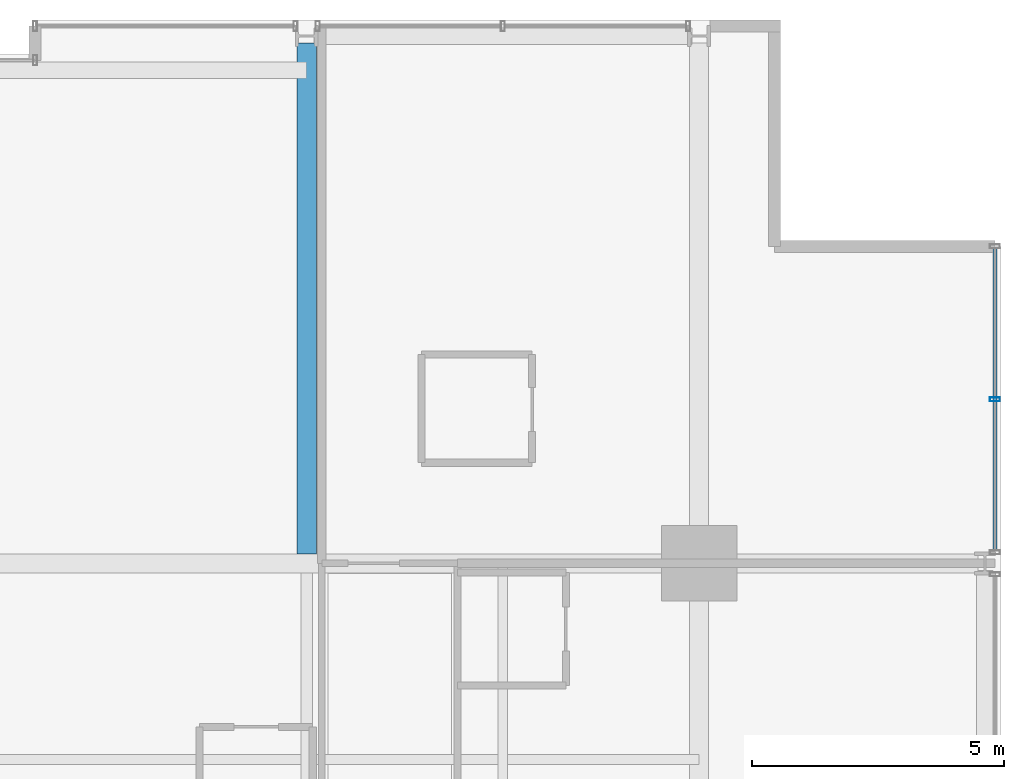
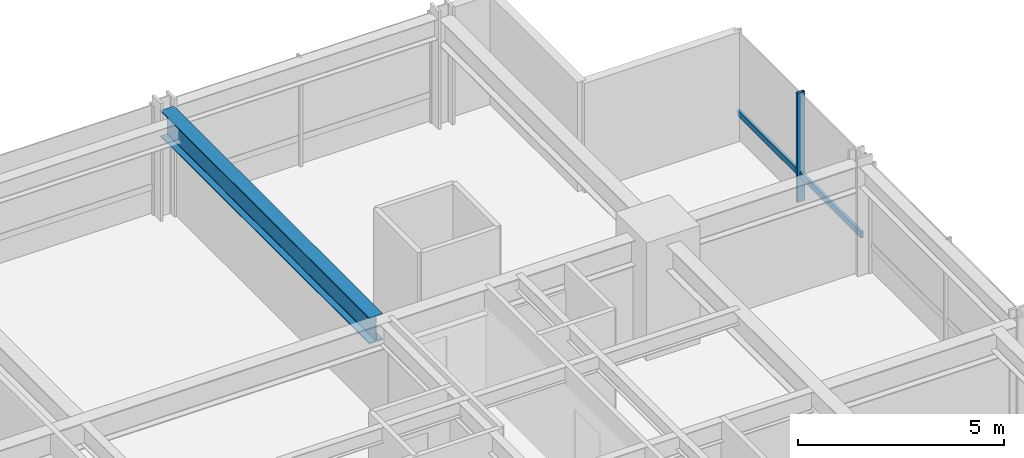
# One storey, part 24 of 33: 2 members, 1 beam, 1 element without a shape of its own.
"""IFC4 building model written with IfcOpenShell, lengths in metres."""

from ifc_helpers import new_model, si_unit, direction, frame, origin, origin_2d, place, context, subcontext, project, spatial, hollow_rectangle, i_section, extrude, material, layer, layer_set, material_profile, profile_set, type_object, element, aggregate, save


model = new_model("IFC4")

# Units and contexts
model_context = context("Model", 3, precision=1e-05, world=origin(), true_north=direction((0.0, 1.0)))
body_context = subcontext(model_context, "Body", "Model", "MODEL_VIEW")
ifc_project = project(units=[si_unit("LENGTHUNIT", "METRE"), si_unit("AREAUNIT", "SQUARE_METRE"), si_unit("VOLUMEUNIT", "CUBIC_METRE"), si_unit("PLANEANGLEUNIT", "RADIAN"), si_unit("MASSUNIT", "GRAM", prefix="KILO")], contexts=[model_context])

# Site, building, storey
site_placement = place(None, origin())
site = spatial("IfcSite", under=ifc_project, at=site_placement, CompositionType="ELEMENT")
building_placement = place(site_placement, origin())
building = spatial("IfcBuilding", under=site, at=building_placement, Name="Drelvath Grand Hotel", CompositionType="ELEMENT")
storey_placement = place(building_placement, frame((0.0, 0.0, 105.800048828125)))
storey = spatial("IfcBuildingStorey", under=building, at=storey_placement, Name="L26", CompositionType="ELEMENT", Elevation=105.800048828125)

# Curtain wall, members
ifc_material_1 = material(Name="Champagne Bronze Anodised Aluminium Frame", Category="aluminium")
ifc_layer = layer(ifc_material_1, 0.199951171875)
ifc_layer_set = layer_set([ifc_layer], Name="Champagne Bronze Anodised Aluminium Frame")
curtain_wall_type = type_object("IfcCurtainWallType", Name="Stick Curtain Wall CW-03 Champagne Bronze Mid-Rise", PredefinedType="NOTDEFINED", material=ifc_layer_set)
curtain_wall_placement = place(storey_placement, origin())
curtain_wall = element("IfcCurtainWall", 1, at=curtain_wall_placement, inside=storey, type_object=curtain_wall_type, Name="L26 CW-03 Curtain Wall CW03-L26-EN3", PredefinedType="NOTDEFINED")
ifc_material_profile_1 = material_profile(ifc_material_1, hollow_rectangle(XDim=0.074951171875, YDim=0.179931640625, WallThickness=0.0048828125, at=origin_2d()), Name="HSS180X75X5")
ifc_profile_set_1 = profile_set([ifc_material_profile_1], Name="Champagne Bronze Anodised Aluminium Frame")
member_type_1 = type_object("IfcMemberType", Name="Curtain Wall Horizontal Transom CW-03 HSS180X75X5", PredefinedType="USERDEFINED", material=ifc_profile_set_1)
member_1_placement = place(storey_placement, frame((22.080078125, 49.4599609375, 0.81005859375), z_axis=(0.0, -1.0, 0.0), x_axis=(1.0, 0.0, 0.0)))
member_1 = element("IfcMember", 2, at=member_1_placement, type_object=member_type_1, Name="CW03-L26-EN3 Sill Transom", ObjectType="TRANSOM", PredefinedType="USERDEFINED", context=body_context, shape_type="SweptSolid", body=[
    extrude(hollow_rectangle(XDim=0.074951171875, YDim=0.179931640625, WallThickness=0.0048828125, at=origin_2d()), origin(), (0.0, 0.0, 1.0), 6.000244140625),
])
ifc_material_profile_2 = material_profile(ifc_material_1, hollow_rectangle(XDim=0.080078125, YDim=0.199951171875, WallThickness=0.0048828125, at=origin_2d()), Name="HSS200X80X5")
ifc_profile_set_2 = profile_set([ifc_material_profile_2], Name="Champagne Bronze Anodised Aluminium Frame")
member_type_2 = type_object("IfcMemberType", Name="Curtain Wall Vertical Mullion CW-03 HSS200X80X5", PredefinedType="MULLION", material=ifc_profile_set_2)
member_2_placement = place(storey_placement, frame((22.080078125, 46.459716796875, 0.0), z_axis=(0.0, 0.0, 1.0), x_axis=(0.0, 1.0, 0.0)))
member_2 = element("IfcMember", 3, at=member_2_placement, type_object=member_type_2, Name="CW03-L26-EN3 Mullion 2", PredefinedType="MULLION", context=body_context, shape_type="SweptSolid", body=[
    extrude(hollow_rectangle(XDim=0.080078125, YDim=0.199951171875, WallThickness=0.0048828125, at=origin_2d()), origin(), (0.0, 0.0, 1.0), 3.239990234375),
])
aggregate(curtain_wall, [member_2, member_1])

# Beam
ifc_material_2 = material(Name="Steel ASTM A992 Gr 50", Category="steel")
ifc_material_profile_3 = material_profile(ifc_material_2, i_section(OverallWidth=0.380615234375, OverallDepth=0.773193359375, WebThickness=0.0166015625, FlangeThickness=0.027099609375, FilletRadius=0.02490234375, at=origin_2d()), Name="W30X173")
ifc_profile_set_3 = profile_set([ifc_material_profile_3], Name="Steel ASTM A992 Gr 50")
beam_type = type_object("IfcBeamType", Name="Primary Floor Girder W30X173", PredefinedType="BEAM", material=ifc_profile_set_3)
beam_placement = place(storey_placement, frame((8.39990234375, 43.390380859375, 2.853271484375), z_axis=(0.0, 1.0, 0.0), x_axis=(-1.0, 0.0, 0.0)))
element("IfcBeam", 4, at=beam_placement, inside=storey, type_object=beam_type, Name="L26 North Wing Girder 6", PredefinedType="BEAM", context=body_context, shape_type="SweptSolid", body=[
    extrude(i_section(OverallWidth=0.380615234375, OverallDepth=0.773193359375, WebThickness=0.0166015625, FlangeThickness=0.027099609375, FilletRadius=0.02490234375, at=origin_2d()), origin(), (0.0, 0.0, 1.0), 10.149658203125),
])

save(model, "model.ifc")
